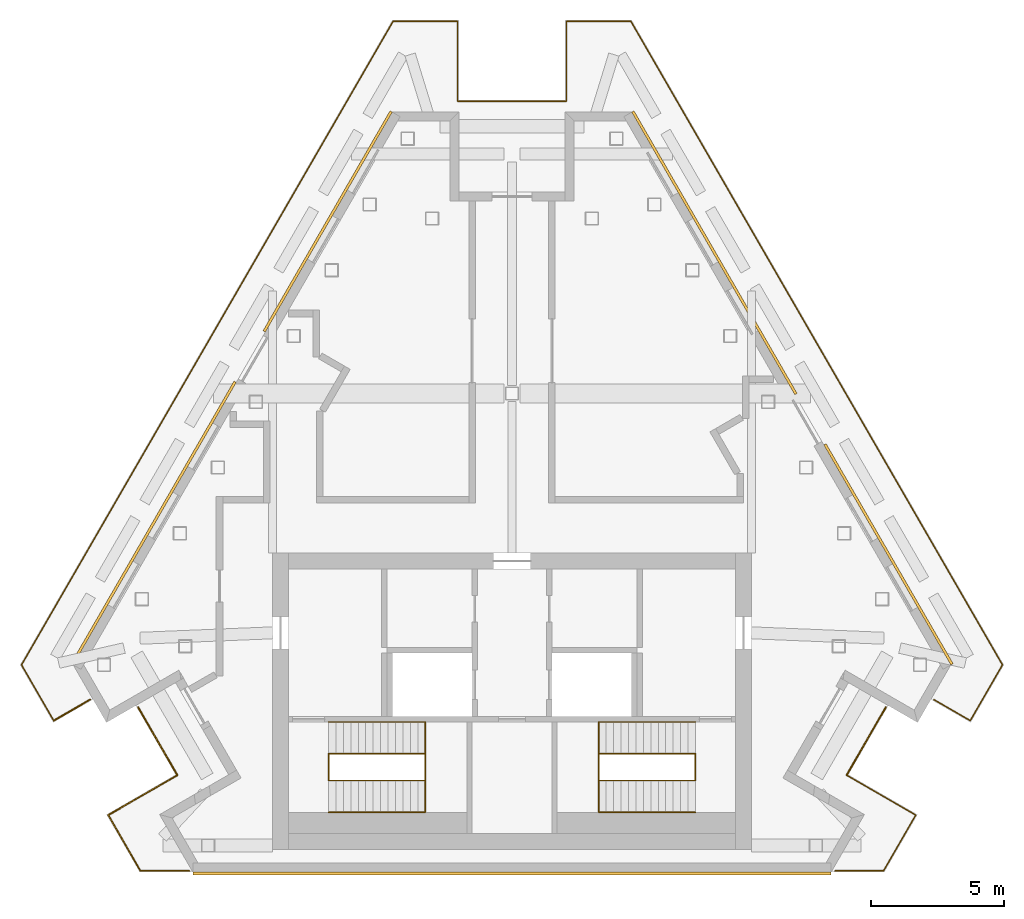
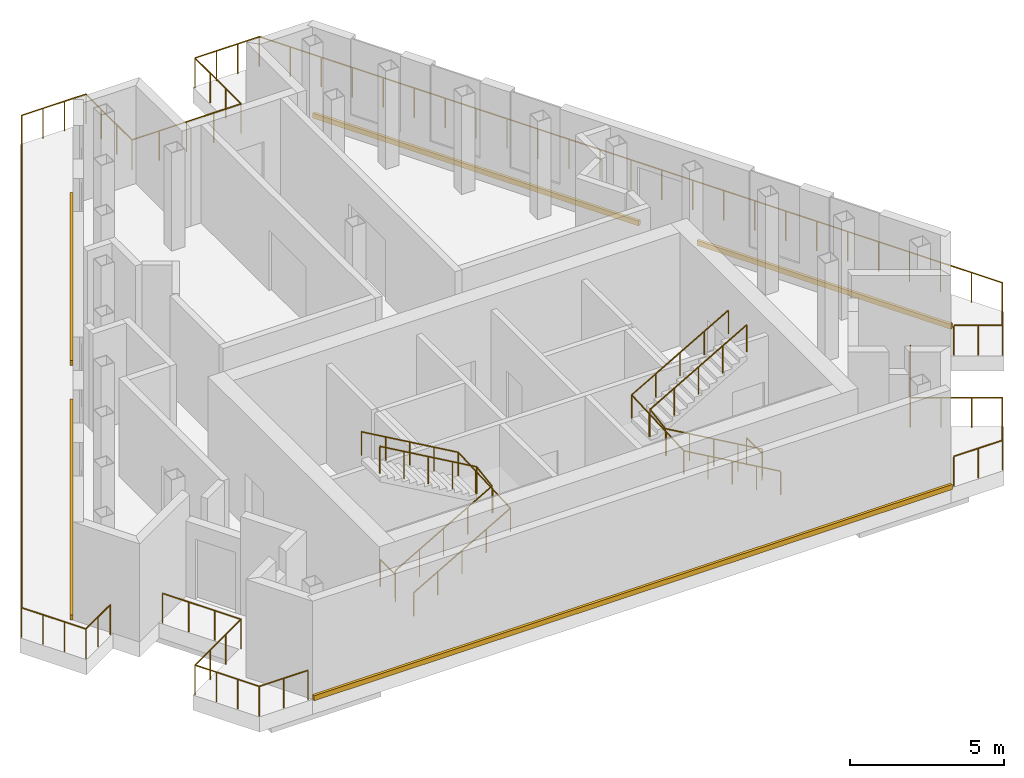
# One storey, part 4 of 4: 12 railings, 5 coverings.
"""IFC4 building model written with IfcOpenShell, lengths in metres."""

from ifc_helpers import new_model, si_unit, direction, frame, origin, origin_2d, place, context, subcontext, project, spatial, polyline, circle, outline, extrude, material, type_object, element, save


model = new_model("IFC4")

# Units and contexts
model_context = context("Model", 3, precision=1e-05, world=origin(), true_north=direction((0.0, 1.0)))
body_context = subcontext(model_context, "Body", "Model", "MODEL_VIEW")
ifc_project = project(units=[si_unit("LENGTHUNIT", "METRE"), si_unit("AREAUNIT", "SQUARE_METRE"), si_unit("VOLUMEUNIT", "CUBIC_METRE"), si_unit("PLANEANGLEUNIT", "RADIAN"), si_unit("MASSUNIT", "GRAM", prefix="KILO")], contexts=[model_context])

# Site, building, storey
site_placement = place(None, origin())
site = spatial("IfcSite", under=ifc_project, at=site_placement, CompositionType="ELEMENT")
building_placement = place(site_placement, origin())
building = spatial("IfcBuilding", under=site, at=building_placement, Name="Fogline Exchange Tower", CompositionType="ELEMENT")
storey_placement = place(building_placement, frame((0.0, 0.0, 355.10009765625)))
storey = spatial("IfcBuildingStorey", under=building, at=storey_placement, Name="L80", CompositionType="ELEMENT", Elevation=355.10009765625)

# Railings
ifc_material_1 = material(Name="Stainless steel 304", Category="steel")
railing_type_1 = type_object("IfcRailingType", Name="G1", PredefinedType="GUARDRAIL", material=ifc_material_1)
railing_1_placement = place(storey_placement, frame((-17.231689453125, 5.697509765625, 0.0)))
element("IfcRailing", 1, at=railing_1_placement, inside=storey, type_object=railing_type_1, Name="Guard L80 terrace", PredefinedType="GUARDRAIL", context=body_context, shape_type="SweptSolid", body=[
    extrude(circle(Radius=0.02392578125, at=origin_2d()), frame((0.0, 0.0, 1.17578125), z_axis=(-0.500054140411, 0.865994143547, 0.0), x_axis=(-0.865994143547, -0.500054140411, 0.0)), (0.0, 0.0, 1.0), 2.421142578125),
    extrude(circle(Radius=0.02392578125, at=origin_2d()), frame((-1.210693359375, 2.0966796875, 1.17578125), z_axis=(0.500001284505, 0.866024662174, 0.0), x_axis=(-0.866024662174, 0.500001284505, 0.0)), (0.0, 0.0, 1.0), 27.9423828125),
    extrude(circle(Radius=0.02392578125, at=origin_2d()), frame((12.760498046875, 26.29541015625, 1.17578125), z_axis=(1.0, 0.0, 0.0), x_axis=(0.0, 1.0, 0.0)), (0.0, 0.0, 1.0), 2.421142578125),
    extrude(circle(Radius=0.02392578125, at=origin_2d()), frame((15.181640625, 26.29541015625, 1.17578125), z_axis=(0.0, -1.0, 0.0), x_axis=(1.0, 0.0, 0.0)), (0.0, 0.0, 1.0), 3.0),
    extrude(circle(Radius=0.02392578125, at=origin_2d()), frame((15.181640625, 23.29541015625, 1.17578125), z_axis=(1.0, 0.0, 0.0), x_axis=(0.0, 1.0, 0.0)), (0.0, 0.0, 1.0), 4.10009765625),
    extrude(circle(Radius=0.02392578125, at=origin_2d()), frame((19.28173828125, 23.29541015625, 1.17578125), z_axis=(0.0, 1.0, 0.0), x_axis=(-1.0, 0.0, 0.0)), (0.0, 0.0, 1.0), 3.0),
    extrude(circle(Radius=0.02392578125, at=origin_2d()), frame((19.28173828125, 26.29541015625, 1.17578125), z_axis=(1.0, 0.0, 0.0), x_axis=(0.0, 1.0, 0.0)), (0.0, 0.0, 1.0), 2.421142578125),
    extrude(circle(Radius=0.02392578125, at=origin_2d()), frame((21.702880859375, 26.29541015625, 1.17578125), z_axis=(0.500001284505, -0.866024662174, 0.0), x_axis=(0.866024662174, 0.500001284505, 0.0)), (0.0, 0.0, 1.0), 27.9423828125),
    extrude(circle(Radius=0.02392578125, at=origin_2d()), frame((35.674072265625, 2.0966796875, 1.17578125), z_axis=(-0.500054140411, -0.865994143547, 0.0), x_axis=(0.865994143547, -0.500054140411, 0.0)), (0.0, 0.0, 1.0), 2.421142578125),
    extrude(circle(Radius=0.02392578125, at=origin_2d()), frame((34.46337890625, 0.0, 1.17578125), z_axis=(-0.866031398331, 0.499989616998, 0.0), x_axis=(-0.499989616998, -0.866031398331, 0.0)), (0.0, 0.0, 1.0), 1.58203125),
    extrude(circle(Radius=0.02099609375, at=origin_2d()), origin(), (0.0, 0.0, 1.0), 1.15185546875),
    extrude(circle(Radius=0.02099609375, at=origin_2d()), frame((-0.403564453125, 0.698974609375, 0.0)), (0.0, 0.0, 1.0), 1.15185546875),
    extrude(circle(Radius=0.02099609375, at=origin_2d()), frame((-0.80712890625, 1.397705078125, 0.0)), (0.0, 0.0, 1.0), 1.15185546875),
    extrude(circle(Radius=0.02099609375, at=origin_2d()), frame((-1.210693359375, 2.0966796875, 0.0)), (0.0, 0.0, 1.0), 1.15185546875),
    extrude(circle(Radius=0.02099609375, at=origin_2d()), frame((-0.628662109375, 3.10498046875, 0.0)), (0.0, 0.0, 1.0), 1.15185546875),
    extrude(circle(Radius=0.02099609375, at=origin_2d()), frame((-0.04638671875, 4.11328125, 0.0)), (0.0, 0.0, 1.0), 1.15185546875),
    extrude(circle(Radius=0.02099609375, at=origin_2d()), frame((0.53564453125, 5.12158203125, 0.0)), (0.0, 0.0, 1.0), 1.15185546875),
    extrude(circle(Radius=0.02099609375, at=origin_2d()), frame((1.117919921875, 6.1298828125, 0.0)), (0.0, 0.0, 1.0), 1.15185546875),
    extrude(circle(Radius=0.02099609375, at=origin_2d()), frame((1.699951171875, 7.13818359375, 0.0)), (0.0, 0.0, 1.0), 1.15185546875),
    extrude(circle(Radius=0.02099609375, at=origin_2d()), frame((2.2822265625, 8.146484375, 0.0)), (0.0, 0.0, 1.0), 1.15185546875),
    extrude(circle(Radius=0.02099609375, at=origin_2d()), frame((2.8642578125, 9.154541015625, 0.0)), (0.0, 0.0, 1.0), 1.15185546875),
    extrude(circle(Radius=0.02099609375, at=origin_2d()), frame((3.4462890625, 10.162841796875, 0.0)), (0.0, 0.0, 1.0), 1.15185546875),
    extrude(circle(Radius=0.02099609375, at=origin_2d()), frame((4.028564453125, 11.171142578125, 0.0)), (0.0, 0.0, 1.0), 1.15185546875),
    extrude(circle(Radius=0.02099609375, at=origin_2d()), frame((4.610595703125, 12.179443359375, 0.0)), (0.0, 0.0, 1.0), 1.15185546875),
    extrude(circle(Radius=0.02099609375, at=origin_2d()), frame((5.19287109375, 13.187744140625, 0.0)), (0.0, 0.0, 1.0), 1.15185546875),
    extrude(circle(Radius=0.02099609375, at=origin_2d()), frame((5.77490234375, 14.196044921875, 0.0)), (0.0, 0.0, 1.0), 1.15185546875),
    extrude(circle(Radius=0.02099609375, at=origin_2d()), frame((6.35693359375, 15.204345703125, 0.0)), (0.0, 0.0, 1.0), 1.15185546875),
    extrude(circle(Radius=0.02099609375, at=origin_2d()), frame((6.939208984375, 16.212646484375, 0.0)), (0.0, 0.0, 1.0), 1.15185546875),
    extrude(circle(Radius=0.02099609375, at=origin_2d()), frame((7.521240234375, 17.220947265625, 0.0)), (0.0, 0.0, 1.0), 1.15185546875),
    extrude(circle(Radius=0.02099609375, at=origin_2d()), frame((8.103515625, 18.229248046875, 0.0)), (0.0, 0.0, 1.0), 1.15185546875),
    extrude(circle(Radius=0.02099609375, at=origin_2d()), frame((8.685546875, 19.237548828125, 0.0)), (0.0, 0.0, 1.0), 1.15185546875),
    extrude(circle(Radius=0.02099609375, at=origin_2d()), frame((9.267578125, 20.24560546875, 0.0)), (0.0, 0.0, 1.0), 1.15185546875),
    extrude(circle(Radius=0.02099609375, at=origin_2d()), frame((9.849853515625, 21.25390625, 0.0)), (0.0, 0.0, 1.0), 1.15185546875),
    extrude(circle(Radius=0.02099609375, at=origin_2d()), frame((10.431884765625, 22.26220703125, 0.0)), (0.0, 0.0, 1.0), 1.15185546875),
    extrude(circle(Radius=0.02099609375, at=origin_2d()), frame((11.01416015625, 23.2705078125, 0.0)), (0.0, 0.0, 1.0), 1.15185546875),
    extrude(circle(Radius=0.02099609375, at=origin_2d()), frame((11.59619140625, 24.27880859375, 0.0)), (0.0, 0.0, 1.0), 1.15185546875),
    extrude(circle(Radius=0.02099609375, at=origin_2d()), frame((12.178466796875, 25.287109375, 0.0)), (0.0, 0.0, 1.0), 1.15185546875),
    extrude(circle(Radius=0.02099609375, at=origin_2d()), frame((12.760498046875, 26.29541015625, 0.0)), (0.0, 0.0, 1.0), 1.15185546875),
    extrude(circle(Radius=0.02099609375, at=origin_2d()), frame((13.567626953125, 26.29541015625, 0.0)), (0.0, 0.0, 1.0), 1.15185546875),
    extrude(circle(Radius=0.02099609375, at=origin_2d()), frame((14.37451171875, 26.29541015625, 0.0)), (0.0, 0.0, 1.0), 1.15185546875),
    extrude(circle(Radius=0.02099609375, at=origin_2d()), frame((15.181640625, 26.29541015625, 0.0)), (0.0, 0.0, 1.0), 1.15185546875),
    extrude(circle(Radius=0.02099609375, at=origin_2d()), frame((15.181640625, 25.29541015625, 0.0)), (0.0, 0.0, 1.0), 1.15185546875),
    extrude(circle(Radius=0.02099609375, at=origin_2d()), frame((15.181640625, 24.29541015625, 0.0)), (0.0, 0.0, 1.0), 1.15185546875),
    extrude(circle(Radius=0.02099609375, at=origin_2d()), frame((15.181640625, 23.29541015625, 0.0)), (0.0, 0.0, 1.0), 1.15185546875),
    extrude(circle(Radius=0.02099609375, at=origin_2d()), frame((16.20654296875, 23.29541015625, 0.0)), (0.0, 0.0, 1.0), 1.15185546875),
    extrude(circle(Radius=0.02099609375, at=origin_2d()), frame((17.231689453125, 23.29541015625, 0.0)), (0.0, 0.0, 1.0), 1.15185546875),
    extrude(circle(Radius=0.02099609375, at=origin_2d()), frame((18.2568359375, 23.29541015625, 0.0)), (0.0, 0.0, 1.0), 1.15185546875),
    extrude(circle(Radius=0.02099609375, at=origin_2d()), frame((19.28173828125, 23.29541015625, 0.0)), (0.0, 0.0, 1.0), 1.15185546875),
    extrude(circle(Radius=0.02099609375, at=origin_2d()), frame((19.28173828125, 24.29541015625, 0.0)), (0.0, 0.0, 1.0), 1.15185546875),
    extrude(circle(Radius=0.02099609375, at=origin_2d()), frame((19.28173828125, 25.29541015625, 0.0)), (0.0, 0.0, 1.0), 1.15185546875),
    extrude(circle(Radius=0.02099609375, at=origin_2d()), frame((19.28173828125, 26.29541015625, 0.0)), (0.0, 0.0, 1.0), 1.15185546875),
    extrude(circle(Radius=0.02099609375, at=origin_2d()), frame((20.0888671875, 26.29541015625, 0.0)), (0.0, 0.0, 1.0), 1.15185546875),
    extrude(circle(Radius=0.02099609375, at=origin_2d()), frame((20.895751953125, 26.29541015625, 0.0)), (0.0, 0.0, 1.0), 1.15185546875),
    extrude(circle(Radius=0.02099609375, at=origin_2d()), frame((21.702880859375, 26.29541015625, 0.0)), (0.0, 0.0, 1.0), 1.15185546875),
    extrude(circle(Radius=0.02099609375, at=origin_2d()), frame((22.284912109375, 25.287109375, 0.0)), (0.0, 0.0, 1.0), 1.15185546875),
    extrude(circle(Radius=0.02099609375, at=origin_2d()), frame((22.8671875, 24.27880859375, 0.0)), (0.0, 0.0, 1.0), 1.15185546875),
    extrude(circle(Radius=0.02099609375, at=origin_2d()), frame((23.44921875, 23.2705078125, 0.0)), (0.0, 0.0, 1.0), 1.15185546875),
    extrude(circle(Radius=0.02099609375, at=origin_2d()), frame((24.031494140625, 22.26220703125, 0.0)), (0.0, 0.0, 1.0), 1.15185546875),
    extrude(circle(Radius=0.02099609375, at=origin_2d()), frame((24.613525390625, 21.25390625, 0.0)), (0.0, 0.0, 1.0), 1.15185546875),
    extrude(circle(Radius=0.02099609375, at=origin_2d()), frame((25.19580078125, 20.24560546875, 0.0)), (0.0, 0.0, 1.0), 1.15185546875),
    extrude(circle(Radius=0.02099609375, at=origin_2d()), frame((25.77783203125, 19.237548828125, 0.0)), (0.0, 0.0, 1.0), 1.15185546875),
    extrude(circle(Radius=0.02099609375, at=origin_2d()), frame((26.35986328125, 18.229248046875, 0.0)), (0.0, 0.0, 1.0), 1.15185546875),
    extrude(circle(Radius=0.02099609375, at=origin_2d()), frame((26.942138671875, 17.220947265625, 0.0)), (0.0, 0.0, 1.0), 1.15185546875),
    extrude(circle(Radius=0.02099609375, at=origin_2d()), frame((27.524169921875, 16.212646484375, 0.0)), (0.0, 0.0, 1.0), 1.15185546875),
    extrude(circle(Radius=0.02099609375, at=origin_2d()), frame((28.1064453125, 15.204345703125, 0.0)), (0.0, 0.0, 1.0), 1.15185546875),
    extrude(circle(Radius=0.02099609375, at=origin_2d()), frame((28.6884765625, 14.196044921875, 0.0)), (0.0, 0.0, 1.0), 1.15185546875),
    extrude(circle(Radius=0.02099609375, at=origin_2d()), frame((29.2705078125, 13.187744140625, 0.0)), (0.0, 0.0, 1.0), 1.15185546875),
    extrude(circle(Radius=0.02099609375, at=origin_2d()), frame((29.852783203125, 12.179443359375, 0.0)), (0.0, 0.0, 1.0), 1.15185546875),
    extrude(circle(Radius=0.02099609375, at=origin_2d()), frame((30.434814453125, 11.171142578125, 0.0)), (0.0, 0.0, 1.0), 1.15185546875),
    extrude(circle(Radius=0.02099609375, at=origin_2d()), frame((31.01708984375, 10.162841796875, 0.0)), (0.0, 0.0, 1.0), 1.15185546875),
    extrude(circle(Radius=0.02099609375, at=origin_2d()), frame((31.59912109375, 9.154541015625, 0.0)), (0.0, 0.0, 1.0), 1.15185546875),
    extrude(circle(Radius=0.02099609375, at=origin_2d()), frame((32.18115234375, 8.146484375, 0.0)), (0.0, 0.0, 1.0), 1.15185546875),
    extrude(circle(Radius=0.02099609375, at=origin_2d()), frame((32.763427734375, 7.13818359375, 0.0)), (0.0, 0.0, 1.0), 1.15185546875),
    extrude(circle(Radius=0.02099609375, at=origin_2d()), frame((33.345458984375, 6.1298828125, 0.0)), (0.0, 0.0, 1.0), 1.15185546875),
    extrude(circle(Radius=0.02099609375, at=origin_2d()), frame((33.927734375, 5.12158203125, 0.0)), (0.0, 0.0, 1.0), 1.15185546875),
    extrude(circle(Radius=0.02099609375, at=origin_2d()), frame((34.509765625, 4.11328125, 0.0)), (0.0, 0.0, 1.0), 1.15185546875),
    extrude(circle(Radius=0.02099609375, at=origin_2d()), frame((35.092041015625, 3.10498046875, 0.0)), (0.0, 0.0, 1.0), 1.15185546875),
    extrude(circle(Radius=0.02099609375, at=origin_2d()), frame((35.674072265625, 2.0966796875, 0.0)), (0.0, 0.0, 1.0), 1.15185546875),
    extrude(circle(Radius=0.02099609375, at=origin_2d()), frame((35.2705078125, 1.397705078125, 0.0)), (0.0, 0.0, 1.0), 1.15185546875),
    extrude(circle(Radius=0.02099609375, at=origin_2d()), frame((34.866943359375, 0.698974609375, 0.0)), (0.0, 0.0, 1.0), 1.15185546875),
    extrude(circle(Radius=0.02099609375, at=origin_2d()), frame((34.46337890625, 0.0, 0.0)), (0.0, 0.0, 1.0), 1.15185546875),
    extrude(circle(Radius=0.02099609375, at=origin_2d()), frame((33.7783203125, 0.3955078125, 0.0)), (0.0, 0.0, 1.0), 1.15185546875),
    extrude(circle(Radius=0.02099609375, at=origin_2d()), frame((33.09326171875, 0.791015625, 0.0)), (0.0, 0.0, 1.0), 1.15185546875),
])
railing_2_placement = place(storey_placement, frame((-15.861572265625, 6.488525390625, 0.0)))
element("IfcRailing", 2, at=railing_2_placement, inside=storey, type_object=railing_type_1, Name="Guard L80 terrace", PredefinedType="GUARDRAIL", context=body_context, shape_type="SweptSolid", body=[
    extrude(circle(Radius=0.02392578125, at=origin_2d()), frame((0.0, 0.0, 1.17578125), z_axis=(-0.866031398331, -0.499989616998, 0.0), x_axis=(0.499989616998, -0.866031398331, 0.0)), (0.0, 0.0, 1.0), 1.58203125),
    extrude(circle(Radius=0.02099609375, at=origin_2d()), origin(), (0.0, 0.0, 1.0), 1.15185546875),
    extrude(circle(Radius=0.02099609375, at=origin_2d()), frame((-0.68505859375, -0.3955078125, 0.0)), (0.0, 0.0, 1.0), 1.15185546875),
    extrude(circle(Radius=0.02099609375, at=origin_2d()), frame((-1.3701171875, -0.791015625, 0.0)), (0.0, 0.0, 1.0), 1.15185546875),
])
railing_3_placement = place(storey_placement, frame((-13.97119140625, 0.050048828125, 0.0)))
element("IfcRailing", 3, at=railing_3_placement, inside=storey, type_object=railing_type_1, Name="Guard L80 terrace", PredefinedType="GUARDRAIL", context=body_context, shape_type="SweptSolid", body=[
    extrude(circle(Radius=0.02392578125, at=origin_2d()), frame((0.0, 0.0, 1.17578125), z_axis=(-0.499978511878, 0.866037809602, 0.0), x_axis=(-0.866037809602, -0.499978511878, 0.0)), (0.0, 0.0, 1.0), 2.4208984375),
    extrude(circle(Radius=0.02392578125, at=origin_2d()), frame((-1.21044921875, 2.0966796875, 1.17578125), z_axis=(0.866031096941, 0.499990139034, 0.0), x_axis=(-0.499990139034, 0.866031096941, 0.0)), (0.0, 0.0, 1.0), 3.0),
    extrude(circle(Radius=0.02392578125, at=origin_2d()), frame((1.3876953125, 3.5966796875, 1.17578125), z_axis=(-0.500037662692, 0.866003658127, 0.0), x_axis=(-0.866003658127, -0.500037662692, 0.0)), (0.0, 0.0, 1.0), 2.949951171875),
    extrude(circle(Radius=0.02099609375, at=origin_2d()), origin(), (0.0, 0.0, 1.0), 1.15185546875),
    extrude(circle(Radius=0.02099609375, at=origin_2d()), frame((-0.403564453125, 0.698974609375, 0.0)), (0.0, 0.0, 1.0), 1.15185546875),
    extrude(circle(Radius=0.02099609375, at=origin_2d()), frame((-0.806884765625, 1.397705078125, 0.0)), (0.0, 0.0, 1.0), 1.15185546875),
    extrude(circle(Radius=0.02099609375, at=origin_2d()), frame((-1.21044921875, 2.0966796875, 0.0)), (0.0, 0.0, 1.0), 1.15185546875),
    extrude(circle(Radius=0.02099609375, at=origin_2d()), frame((-0.344482421875, 2.5966796875, 0.0)), (0.0, 0.0, 1.0), 1.15185546875),
    extrude(circle(Radius=0.02099609375, at=origin_2d()), frame((0.521728515625, 3.0966796875, 0.0)), (0.0, 0.0, 1.0), 1.15185546875),
    extrude(circle(Radius=0.02099609375, at=origin_2d()), frame((1.3876953125, 3.5966796875, 0.0)), (0.0, 0.0, 1.0), 1.15185546875),
    extrude(circle(Radius=0.02099609375, at=origin_2d()), frame((0.89599609375, 4.4482421875, 0.0)), (0.0, 0.0, 1.0), 1.15185546875),
    extrude(circle(Radius=0.02099609375, at=origin_2d()), frame((0.404296875, 5.2998046875, 0.0)), (0.0, 0.0, 1.0), 1.15185546875),
    extrude(circle(Radius=0.02099609375, at=origin_2d()), frame((-0.08740234375, 6.1513671875, 0.0)), (0.0, 0.0, 1.0), 1.15185546875),
])
railing_4_placement = place(storey_placement, frame((-12.144287109375, 0.050048828125, 0.0)))
element("IfcRailing", 4, at=railing_4_placement, inside=storey, type_object=railing_type_1, Name="Guard L80 terrace", PredefinedType="GUARDRAIL", context=body_context, shape_type="SweptSolid", body=[
    extrude(circle(Radius=0.02392578125, at=origin_2d()), frame((0.0, 0.0, 1.17578125), z_axis=(-1.0, 0.0, 0.0), x_axis=(0.0, -1.0, 0.0)), (0.0, 0.0, 1.0), 1.826904296875),
    extrude(circle(Radius=0.02099609375, at=origin_2d()), origin(), (0.0, 0.0, 1.0), 1.15185546875),
    extrude(circle(Radius=0.02099609375, at=origin_2d()), frame((-0.91357421875, 0.0, 0.0)), (0.0, 0.0, 1.0), 1.15185546875),
    extrude(circle(Radius=0.02099609375, at=origin_2d()), frame((-1.826904296875, 0.0, 0.0)), (0.0, 0.0, 1.0), 1.15185546875),
])
railing_5_placement = place(storey_placement, frame((12.58349609375, 3.646728515625, 0.0)))
element("IfcRailing", 5, at=railing_5_placement, inside=storey, type_object=railing_type_1, Name="Guard L80 terrace", PredefinedType="GUARDRAIL", context=body_context, shape_type="SweptSolid", body=[
    extrude(circle(Radius=0.02392578125, at=origin_2d()), frame((0.0, 0.0, 1.17578125), z_axis=(0.866031096941, -0.499990139034, 0.0), x_axis=(0.499990139034, 0.866031096941, 0.0)), (0.0, 0.0, 1.0), 3.0),
    extrude(circle(Radius=0.02392578125, at=origin_2d()), frame((2.59814453125, -1.5, 1.17578125), z_axis=(-0.499978511878, -0.866037809602, 0.0), x_axis=(0.866037809602, -0.499978511878, 0.0)), (0.0, 0.0, 1.0), 2.4208984375),
    extrude(circle(Radius=0.02392578125, at=origin_2d()), frame((1.3876953125, -3.5966796875, 1.17578125), z_axis=(-1.0, 0.0, 0.0), x_axis=(0.0, -1.0, 0.0)), (0.0, 0.0, 1.0), 1.826904296875),
    extrude(circle(Radius=0.02099609375, at=origin_2d()), origin(), (0.0, 0.0, 1.0), 1.15185546875),
    extrude(circle(Radius=0.02099609375, at=origin_2d()), frame((0.865966796875, -0.5, 0.0)), (0.0, 0.0, 1.0), 1.15185546875),
    extrude(circle(Radius=0.02099609375, at=origin_2d()), frame((1.732177734375, -1.0, 0.0)), (0.0, 0.0, 1.0), 1.15185546875),
    extrude(circle(Radius=0.02099609375, at=origin_2d()), frame((2.59814453125, -1.5, 0.0)), (0.0, 0.0, 1.0), 1.15185546875),
    extrude(circle(Radius=0.02099609375, at=origin_2d()), frame((2.194580078125, -2.198974609375, 0.0)), (0.0, 0.0, 1.0), 1.15185546875),
    extrude(circle(Radius=0.02099609375, at=origin_2d()), frame((1.791259765625, -2.897705078125, 0.0)), (0.0, 0.0, 1.0), 1.15185546875),
    extrude(circle(Radius=0.02099609375, at=origin_2d()), frame((1.3876953125, -3.5966796875, 0.0)), (0.0, 0.0, 1.0), 1.15185546875),
    extrude(circle(Radius=0.02099609375, at=origin_2d()), frame((0.47412109375, -3.5966796875, 0.0)), (0.0, 0.0, 1.0), 1.15185546875),
    extrude(circle(Radius=0.02099609375, at=origin_2d()), frame((-0.439208984375, -3.5966796875, 0.0)), (0.0, 0.0, 1.0), 1.15185546875),
])
railing_6_placement = place(storey_placement, frame((14.05859375, 6.201416015625, 0.0)))
element("IfcRailing", 6, at=railing_6_placement, inside=storey, type_object=railing_type_1, Name="Guard L80 terrace", PredefinedType="GUARDRAIL", context=body_context, shape_type="SweptSolid", body=[
    extrude(circle(Radius=0.02392578125, at=origin_2d()), frame((0.0, 0.0, 1.17578125), z_axis=(-0.500037662692, -0.866003658127, 0.0), x_axis=(0.866003658127, -0.500037662692, 0.0)), (0.0, 0.0, 1.0), 2.949951171875),
    extrude(circle(Radius=0.02099609375, at=origin_2d()), origin(), (0.0, 0.0, 1.0), 1.15185546875),
    extrude(circle(Radius=0.02099609375, at=origin_2d()), frame((-0.49169921875, -0.8515625, 0.0)), (0.0, 0.0, 1.0), 1.15185546875),
    extrude(circle(Radius=0.02099609375, at=origin_2d()), frame((-0.9833984375, -1.703125, 0.0)), (0.0, 0.0, 1.0), 1.15185546875),
    extrude(circle(Radius=0.02099609375, at=origin_2d()), frame((-1.47509765625, -2.5546875, 0.0)), (0.0, 0.0, 1.0), 1.15185546875),
])
ifc_material_2 = material(Name="Steel Q235B", Category="steel")
railing_type_2 = type_object("IfcRailingType", Name="RL-GD", PredefinedType="GUARDRAIL", material=ifc_material_2)
for number, where, name in (
    (7, (-6.889892578125, 3.449951171875, 0.0), "Guard at well"),
    (8, (6.889892578125, 3.449951171875, 0.0), "Guard at well"),
):
    element("IfcRailing", number, at=place(storey_placement, frame(where)), inside=storey, type_object=railing_type_2, Name=name, PredefinedType="GUARDRAIL", context=body_context, shape_type="SweptSolid", body=[
        extrude(circle(Radius=0.02392578125, at=origin_2d()), frame((0.0, 0.0, 1.076171875), z_axis=(0.0, 1.0, 0.0), x_axis=(-1.0, 0.0, 0.0)), (0.0, 0.0, 1.0), 1.0),
        extrude(circle(Radius=0.02099609375, at=origin_2d()), origin(), (0.0, 0.0, 1.0), 1.052001953125),
        extrude(circle(Radius=0.02099609375, at=origin_2d()), frame((0.0, 1.0, 0.0)), (0.0, 0.0, 1.0), 1.052001953125),
    ])
railing_7_placement = place(storey_placement, frame((-6.89990234375, 3.449951171875, 0.16064453125)))
element("IfcRailing", 9, at=railing_7_placement, inside=storey, type_object=railing_type_2, Name="Guard CS1", PredefinedType="GUARDRAIL", context=body_context, shape_type="SweptSolid", body=[
    extrude(circle(Radius=0.02392578125, at=origin_2d()), frame((0.0, 0.0, 1.076171875), z_axis=(0.8672749571, 0.0, 0.497829437445), x_axis=(0.0, 1.0, 0.0)), (0.0, 0.0, 1.0), 4.197021484375),
    extrude(circle(Radius=0.02392578125, at=origin_2d()), frame((3.639892578125, 0.0, 3.16552734375), z_axis=(0.0, 0.987341158926, 0.15861095766), x_axis=(-1.0, 0.0, 0.0)), (0.0, 0.0, 1.0), 1.012939453125),
    extrude(circle(Radius=0.02392578125, at=origin_2d()), frame((3.639892578125, 1.0, 3.326171875), z_axis=(-0.8672749571, 0.0, 0.497829437445), x_axis=(0.0, -1.0, 0.0)), (0.0, 0.0, 1.0), 4.197021484375),
    extrude(circle(Radius=0.02099609375, at=origin_2d()), origin(), (0.0, 0.0, 1.0), 1.052001953125),
    extrude(circle(Radius=0.02099609375, at=origin_2d()), frame((0.909912109375, 0.0, 0.5224609375)), (0.0, 0.0, 1.0), 1.052001953125),
    extrude(circle(Radius=0.02099609375, at=origin_2d()), frame((1.81982421875, 0.0, 1.044677734375)), (0.0, 0.0, 1.0), 1.052001953125),
    extrude(circle(Radius=0.02099609375, at=origin_2d()), frame((2.72998046875, 0.0, 1.56689453125)), (0.0, 0.0, 1.0), 1.052001953125),
    extrude(circle(Radius=0.02099609375, at=origin_2d()), frame((3.639892578125, 0.0, 2.08935546875)), (0.0, 0.0, 1.0), 1.052001953125),
    extrude(circle(Radius=0.02099609375, at=origin_2d()), frame((3.639892578125, 1.0, 2.25)), (0.0, 0.0, 1.0), 1.052001953125),
    extrude(circle(Radius=0.02099609375, at=origin_2d()), frame((2.72998046875, 1.0, 2.7724609375)), (0.0, 0.0, 1.0), 1.052001953125),
    extrude(circle(Radius=0.02099609375, at=origin_2d()), frame((1.81982421875, 1.0, 3.294677734375)), (0.0, 0.0, 1.0), 1.052001953125),
    extrude(circle(Radius=0.02099609375, at=origin_2d()), frame((0.909912109375, 1.0, 3.81689453125)), (0.0, 0.0, 1.0), 1.052001953125),
    extrude(circle(Radius=0.02099609375, at=origin_2d()), frame((0.0, 1.0, 4.33935546875)), (0.0, 0.0, 1.0), 1.052001953125),
])
railing_8_placement = place(storey_placement, frame((6.89990234375, 3.449951171875, 0.16064453125)))
element("IfcRailing", 10, at=railing_8_placement, inside=storey, type_object=railing_type_2, Name="Guard CS2", PredefinedType="GUARDRAIL", context=body_context, shape_type="SweptSolid", body=[
    extrude(circle(Radius=0.02392578125, at=origin_2d()), frame((0.0, 0.0, 1.076171875), z_axis=(-0.8672749571, 0.0, 0.497829437445), x_axis=(0.0, -1.0, 0.0)), (0.0, 0.0, 1.0), 4.197021484375),
    extrude(circle(Radius=0.02392578125, at=origin_2d()), frame((-3.639892578125, 0.0, 3.16552734375), z_axis=(0.0, 0.987341158926, 0.15861095766), x_axis=(-1.0, 0.0, 0.0)), (0.0, 0.0, 1.0), 1.012939453125),
    extrude(circle(Radius=0.02392578125, at=origin_2d()), frame((-3.639892578125, 1.0, 3.326171875), z_axis=(0.8672749571, 0.0, 0.497829437445), x_axis=(0.0, 1.0, 0.0)), (0.0, 0.0, 1.0), 4.197021484375),
    extrude(circle(Radius=0.02099609375, at=origin_2d()), origin(), (0.0, 0.0, 1.0), 1.052001953125),
    extrude(circle(Radius=0.02099609375, at=origin_2d()), frame((-0.909912109375, 0.0, 0.5224609375)), (0.0, 0.0, 1.0), 1.052001953125),
    extrude(circle(Radius=0.02099609375, at=origin_2d()), frame((-1.81982421875, 0.0, 1.044677734375)), (0.0, 0.0, 1.0), 1.052001953125),
    extrude(circle(Radius=0.02099609375, at=origin_2d()), frame((-2.72998046875, 0.0, 1.56689453125)), (0.0, 0.0, 1.0), 1.052001953125),
    extrude(circle(Radius=0.02099609375, at=origin_2d()), frame((-3.639892578125, 0.0, 2.08935546875)), (0.0, 0.0, 1.0), 1.052001953125),
    extrude(circle(Radius=0.02099609375, at=origin_2d()), frame((-3.639892578125, 1.0, 2.25)), (0.0, 0.0, 1.0), 1.052001953125),
    extrude(circle(Radius=0.02099609375, at=origin_2d()), frame((-2.72998046875, 1.0, 2.7724609375)), (0.0, 0.0, 1.0), 1.052001953125),
    extrude(circle(Radius=0.02099609375, at=origin_2d()), frame((-1.81982421875, 1.0, 3.294677734375)), (0.0, 0.0, 1.0), 1.052001953125),
    extrude(circle(Radius=0.02099609375, at=origin_2d()), frame((-0.909912109375, 1.0, 3.81689453125)), (0.0, 0.0, 1.0), 1.052001953125),
    extrude(circle(Radius=0.02099609375, at=origin_2d()), frame((0.0, 1.0, 4.33935546875)), (0.0, 0.0, 1.0), 1.052001953125),
])
railing_type_3 = type_object("IfcRailingType", Name="RL-HR", PredefinedType="HANDRAIL", material=ifc_material_2)
railing_9_placement = place(storey_placement, frame((-6.89990234375, 2.25, 0.16064453125)))
element("IfcRailing", 11, at=railing_9_placement, inside=storey, type_object=railing_type_3, Name="Handrail CS1", PredefinedType="HANDRAIL", context=body_context, shape_type="SweptSolid", body=[
    extrude(circle(Radius=0.02392578125, at=origin_2d()), frame((0.0, 0.0, 0.92578125), z_axis=(0.8672749571, 0.0, 0.497829437445), x_axis=(0.0, 1.0, 0.0)), (0.0, 0.0, 1.0), 4.197021484375),
    extrude(circle(Radius=0.02392578125, at=origin_2d()), frame((3.639892578125, 0.0, 3.01513671875), z_axis=(0.0, 0.998885596241, 0.047197093374), x_axis=(-1.0, 0.0, 0.0)), (0.0, 0.0, 1.0), 3.40380859375),
    extrude(circle(Radius=0.02392578125, at=origin_2d()), frame((3.639892578125, 3.39990234375, 3.17578125), z_axis=(-0.8672749571, 0.0, 0.497829437445), x_axis=(0.0, -1.0, 0.0)), (0.0, 0.0, 1.0), 4.197021484375),
    extrude(circle(Radius=0.02099609375, at=origin_2d()), origin(), (0.0, 0.0, 1.0), 0.90185546875),
    extrude(circle(Radius=0.02099609375, at=origin_2d()), frame((0.909912109375, 0.0, 0.5224609375)), (0.0, 0.0, 1.0), 0.90185546875),
    extrude(circle(Radius=0.02099609375, at=origin_2d()), frame((1.81982421875, 0.0, 1.044677734375)), (0.0, 0.0, 1.0), 0.90185546875),
    extrude(circle(Radius=0.02099609375, at=origin_2d()), frame((2.72998046875, 0.0, 1.56689453125)), (0.0, 0.0, 1.0), 0.90185546875),
    extrude(circle(Radius=0.02099609375, at=origin_2d()), frame((3.639892578125, 0.0, 2.08935546875)), (0.0, 0.0, 1.0), 0.90185546875),
    extrude(circle(Radius=0.02099609375, at=origin_2d()), frame((3.639892578125, 1.13330078125, 2.142822265625)), (0.0, 0.0, 1.0), 0.90185546875),
    extrude(circle(Radius=0.02099609375, at=origin_2d()), frame((3.639892578125, 2.2666015625, 2.196533203125)), (0.0, 0.0, 1.0), 0.90185546875),
    extrude(circle(Radius=0.02099609375, at=origin_2d()), frame((3.639892578125, 3.39990234375, 2.25)), (0.0, 0.0, 1.0), 0.90185546875),
    extrude(circle(Radius=0.02099609375, at=origin_2d()), frame((2.72998046875, 3.39990234375, 2.7724609375)), (0.0, 0.0, 1.0), 0.90185546875),
    extrude(circle(Radius=0.02099609375, at=origin_2d()), frame((1.81982421875, 3.39990234375, 3.294677734375)), (0.0, 0.0, 1.0), 0.90185546875),
    extrude(circle(Radius=0.02099609375, at=origin_2d()), frame((0.909912109375, 3.39990234375, 3.81689453125)), (0.0, 0.0, 1.0), 0.90185546875),
    extrude(circle(Radius=0.02099609375, at=origin_2d()), frame((0.0, 3.39990234375, 4.33935546875)), (0.0, 0.0, 1.0), 0.90185546875),
])
railing_10_placement = place(storey_placement, frame((6.89990234375, 2.25, 0.16064453125)))
element("IfcRailing", 12, at=railing_10_placement, inside=storey, type_object=railing_type_3, Name="Handrail CS2", PredefinedType="HANDRAIL", context=body_context, shape_type="SweptSolid", body=[
    extrude(circle(Radius=0.02392578125, at=origin_2d()), frame((0.0, 0.0, 0.92578125), z_axis=(-0.8672749571, 0.0, 0.497829437445), x_axis=(0.0, -1.0, 0.0)), (0.0, 0.0, 1.0), 4.197021484375),
    extrude(circle(Radius=0.02392578125, at=origin_2d()), frame((-3.639892578125, 0.0, 3.01513671875), z_axis=(0.0, 0.998885596241, 0.047197093374), x_axis=(-1.0, 0.0, 0.0)), (0.0, 0.0, 1.0), 3.40380859375),
    extrude(circle(Radius=0.02392578125, at=origin_2d()), frame((-3.639892578125, 3.39990234375, 3.17578125), z_axis=(0.8672749571, 0.0, 0.497829437445), x_axis=(0.0, 1.0, 0.0)), (0.0, 0.0, 1.0), 4.197021484375),
    extrude(circle(Radius=0.02099609375, at=origin_2d()), origin(), (0.0, 0.0, 1.0), 0.90185546875),
    extrude(circle(Radius=0.02099609375, at=origin_2d()), frame((-0.909912109375, 0.0, 0.5224609375)), (0.0, 0.0, 1.0), 0.90185546875),
    extrude(circle(Radius=0.02099609375, at=origin_2d()), frame((-1.81982421875, 0.0, 1.044677734375)), (0.0, 0.0, 1.0), 0.90185546875),
    extrude(circle(Radius=0.02099609375, at=origin_2d()), frame((-2.72998046875, 0.0, 1.56689453125)), (0.0, 0.0, 1.0), 0.90185546875),
    extrude(circle(Radius=0.02099609375, at=origin_2d()), frame((-3.639892578125, 0.0, 2.08935546875)), (0.0, 0.0, 1.0), 0.90185546875),
    extrude(circle(Radius=0.02099609375, at=origin_2d()), frame((-3.639892578125, 1.13330078125, 2.142822265625)), (0.0, 0.0, 1.0), 0.90185546875),
    extrude(circle(Radius=0.02099609375, at=origin_2d()), frame((-3.639892578125, 2.2666015625, 2.196533203125)), (0.0, 0.0, 1.0), 0.90185546875),
    extrude(circle(Radius=0.02099609375, at=origin_2d()), frame((-3.639892578125, 3.39990234375, 2.25)), (0.0, 0.0, 1.0), 0.90185546875),
    extrude(circle(Radius=0.02099609375, at=origin_2d()), frame((-2.72998046875, 3.39990234375, 2.7724609375)), (0.0, 0.0, 1.0), 0.90185546875),
    extrude(circle(Radius=0.02099609375, at=origin_2d()), frame((-1.81982421875, 3.39990234375, 3.294677734375)), (0.0, 0.0, 1.0), 0.90185546875),
    extrude(circle(Radius=0.02099609375, at=origin_2d()), frame((-0.909912109375, 3.39990234375, 3.81689453125)), (0.0, 0.0, 1.0), 0.90185546875),
    extrude(circle(Radius=0.02099609375, at=origin_2d()), frame((0.0, 3.39990234375, 4.33935546875)), (0.0, 0.0, 1.0), 0.90185546875),
])

# Coverings
ifc_material_3 = material(Name="Brick masonry", Category="masonry")
covering_type = type_object("IfcCoveringType", Name="SB1", PredefinedType="CLADDING", material=ifc_material_3)
covering_1_placement = place(storey_placement, origin())
element("IfcCovering", 13, at=covering_1_placement, inside=storey, type_object=covering_type, Name="Stringcourse band L80 S", PredefinedType="CLADDING", context=body_context, shape_type="SweptSolid", body=[
    extrude(outline(polyline([(-12.0, 0.0), (-12.0, -0.10009765625), (12.0, -0.10009765625), (12.0, 0.0), (-12.0, 0.0)])), origin(), (0.0, 0.0, 1.0), 0.199951171875),
])
covering_2_placement = place(storey_placement, origin())
element("IfcCovering", 14, at=covering_2_placement, inside=storey, type_object=covering_type, Name="Stringcourse band L80 E", PredefinedType="CLADDING", context=body_context, shape_type="SweptSolid", body=[
    extrude(outline(polyline([(16.5, 7.794189453125), (16.586669921875, 7.84423828125), (11.8115234375, 16.11474609375), (11.72509765625, 16.064697265625), (16.5, 7.794189453125)])), origin(), (0.0, 0.0, 1.0), 0.199951171875),
])
covering_3_placement = place(storey_placement, origin())
element("IfcCovering", 15, at=covering_3_placement, inside=storey, type_object=covering_type, Name="Stringcourse band L80 E", PredefinedType="CLADDING", context=body_context, shape_type="SweptSolid", body=[
    extrude(outline(polyline([(10.632568359375, 17.95703125), (10.718994140625, 18.007080078125), (4.586669921875, 28.62890625), (4.5, 28.578857421875), (10.632568359375, 17.95703125)])), origin(), (0.0, 0.0, 1.0), 0.199951171875),
])
covering_4_placement = place(storey_placement, origin())
element("IfcCovering", 16, at=covering_4_placement, inside=storey, type_object=covering_type, Name="Stringcourse band L80 W", PredefinedType="CLADDING", context=body_context, shape_type="SweptSolid", body=[
    extrude(outline(polyline([(-4.5, 28.578857421875), (-4.586669921875, 28.62890625), (-9.361572265625, 20.3583984375), (-9.27490234375, 20.308349609375), (-4.5, 28.578857421875)])), origin(), (0.0, 0.0, 1.0), 0.199951171875),
])
covering_5_placement = place(storey_placement, origin())
element("IfcCovering", 17, at=covering_5_placement, inside=storey, type_object=covering_type, Name="Stringcourse band L80 W", PredefinedType="CLADDING", context=body_context, shape_type="SweptSolid", body=[
    extrude(outline(polyline([(-10.367431640625, 18.416015625), (-10.4541015625, 18.466064453125), (-16.586669921875, 7.84423828125), (-16.5, 7.794189453125), (-10.367431640625, 18.416015625)])), origin(), (0.0, 0.0, 1.0), 0.199951171875),
])

save(model, "model.ifc")
